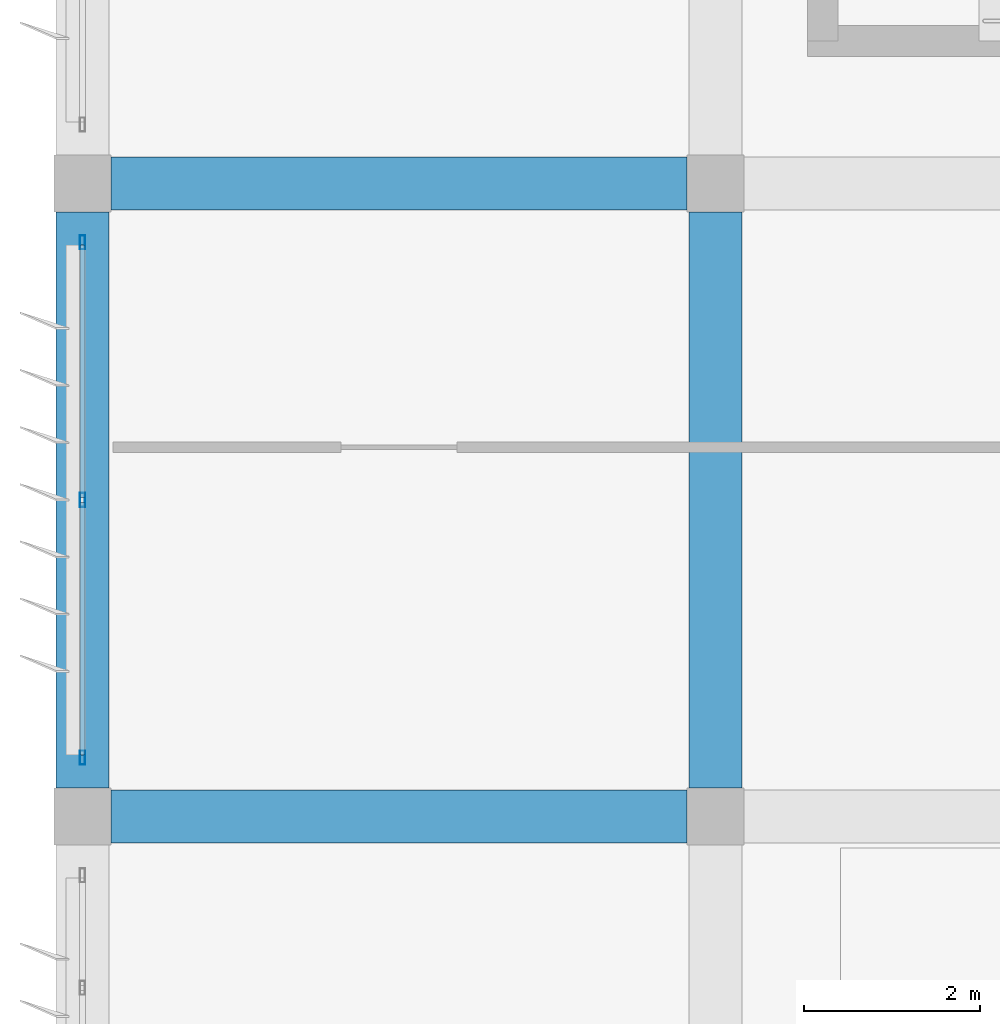
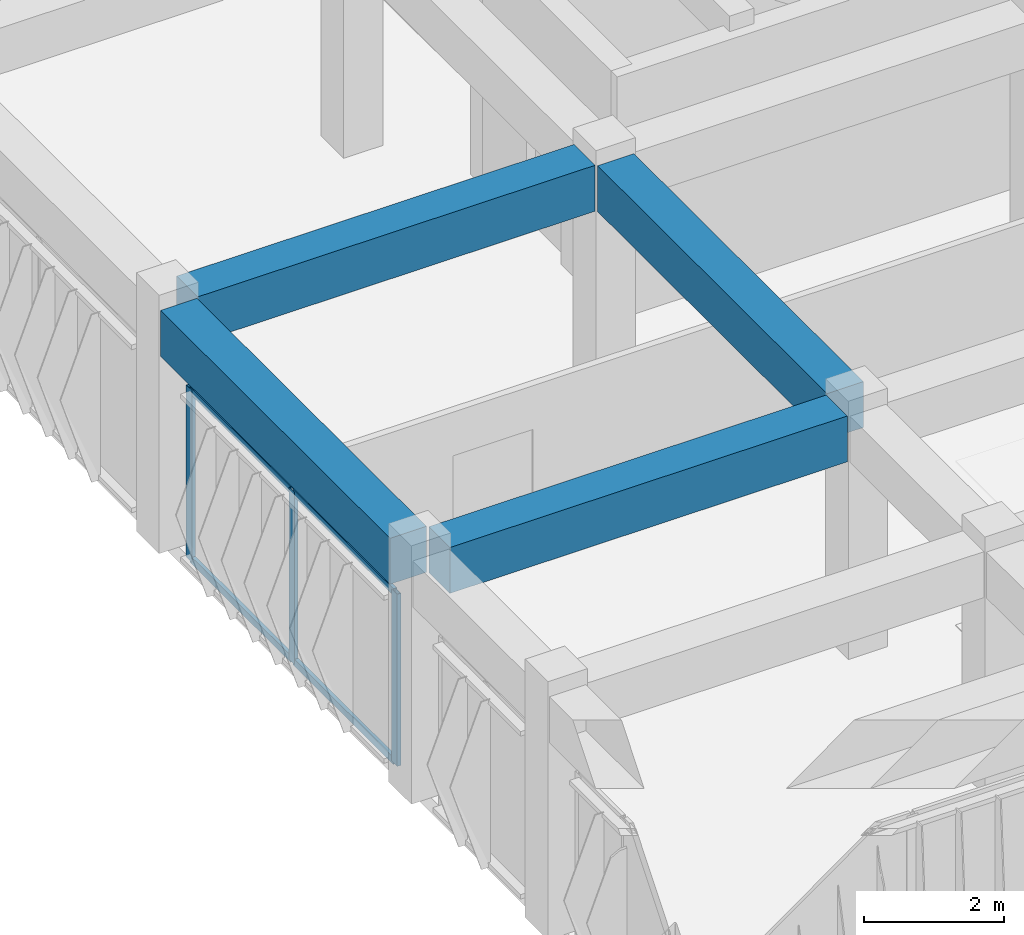
# One storey, part 6 of 56: 7 members, 4 beams, 1 element without a shape of its own.
"""IFC4 building model written with IfcOpenShell, lengths in metres."""

from ifc_helpers import new_model, si_unit, direction, frame, origin, origin_2d, place, context, subcontext, project, spatial, rectangle, hollow_rectangle, extrude, material, material_profile, profile_set, type_object, element, aggregate, save


model = new_model("IFC4")

# Units and contexts
model_context = context("Model", 3, precision=1e-05, world=origin(), true_north=direction((0.0, 1.0)))
body_context = subcontext(model_context, "Body", "Model", "MODEL_VIEW")
ifc_project = project(units=[si_unit("LENGTHUNIT", "METRE"), si_unit("AREAUNIT", "SQUARE_METRE"), si_unit("VOLUMEUNIT", "CUBIC_METRE"), si_unit("PLANEANGLEUNIT", "RADIAN"), si_unit("MASSUNIT", "GRAM", prefix="KILO")], contexts=[model_context])

# Site, building, storey
site_placement = place(None, origin())
site = spatial("IfcSite", under=ifc_project, at=site_placement, CompositionType="ELEMENT")
building_placement = place(site_placement, origin())
building = spatial("IfcBuilding", under=site, at=building_placement, Name="Kazehaya Institute of Natural Sciences", CompositionType="ELEMENT")
storey_placement = place(building_placement, frame((0.0, 0.0, 28.800048828125)))
storey = spatial("IfcBuildingStorey", under=building, at=storey_placement, Name="L06", CompositionType="ELEMENT", Elevation=28.800048828125)

# Beams
ifc_material_1 = material(Name="Concrete Fc36", Category="concrete")
ifc_material_profile_1 = material_profile(ifc_material_1, rectangle(XDim=0.60009765625, YDim=0.800048828125, at=origin_2d()), Name="RC-600x800")
ifc_profile_set_1 = profile_set([ifc_material_profile_1], Name="Concrete Fc36")
beam_type = type_object("IfcBeamType", Name="BM-G-600x800", PredefinedType="BEAM", material=ifc_profile_set_1)
for number, where, z_axis, x_axis, name in (
    (1, (54.925048828125, 14.0, 3.829833984375), (1.0, 0.0, 0.0), (0.0, 1.0, 0.0), "L06 primary X girder BMX-L06-546-140"),
    (2, (54.925048828125, 21.199951171875, 3.829833984375), (1.0, 0.0, 0.0), (0.0, 1.0, 0.0), "L06 primary X girder BMX-L06-546-212"),
    (3, (54.60009765625, 14.324951171875, 3.829833984375), (0.0, 1.0, 0.0), (-1.0, 0.0, 0.0), "L06 primary Y girder BMY-L06-546-140"),
    (4, (61.800048828125, 14.324951171875, 3.829833984375), (0.0, 1.0, 0.0), (-1.0, 0.0, 0.0), "L06 primary Y girder BMY-L06-618-140"),
):
    element("IfcBeam", number, at=place(storey_placement, frame(where, z_axis=z_axis, x_axis=x_axis)), inside=storey, type_object=beam_type, Name=name, PredefinedType="BEAM", context=body_context, shape_type="SweptSolid", body=[
        extrude(rectangle(XDim=0.60009765625, YDim=0.800048828125, at=origin_2d()), origin(), (0.0, 0.0, 1.0), 6.550048828125),
    ])

# Curtain wall, members
ifc_material_2 = material(Name="Aluminium alloy A6063S-T5", Category="aluminium")
curtain_wall_type = type_object("IfcCurtainWallType", Name="CW-SYS-10", PredefinedType="NOTDEFINED", material=ifc_material_2)
curtain_wall_placement = place(storey_placement, origin())
curtain_wall = element("IfcCurtainWall", 5, at=curtain_wall_placement, inside=storey, type_object=curtain_wall_type, Name="L06 unitised curtain wall CW-L06-142", PredefinedType="NOTDEFINED")
ifc_material_profile_2 = material_profile(ifc_material_2, hollow_rectangle(XDim=0.06005859375, YDim=0.159912109375, WallThickness=0.00390625, at=origin_2d()), Name="ALU-60x160x4")
ifc_profile_set_2 = profile_set([ifc_material_profile_2], Name="Aluminium alloy A6063S-T5")
member_type_1 = type_object("IfcMemberType", Name="CWM-160", PredefinedType="MULLION", material=ifc_profile_set_2)
member_1_placement = place(storey_placement, frame((54.60009765625, 14.669921875, 0.0), z_axis=(0.0, 0.0, 1.0), x_axis=(-1.0, 0.0, 0.0)))
member_1 = element("IfcMember", 6, at=member_1_placement, type_object=member_type_1, Name="CW10 mullion 1", PredefinedType="MULLION", context=body_context, shape_type="SweptSolid", body=[
    extrude(hollow_rectangle(XDim=0.06005859375, YDim=0.159912109375, WallThickness=0.00390625, at=origin_2d()), origin(), (0.0, 0.0, 1.0), 3.0),
])
member_2_placement = place(storey_placement, frame((54.60009765625, 17.60009765625, 0.0), z_axis=(0.0, 0.0, 1.0), x_axis=(-1.0, 0.0, 0.0)))
member_2 = element("IfcMember", 7, at=member_2_placement, type_object=member_type_1, Name="CW10 mullion 2", PredefinedType="MULLION", context=body_context, shape_type="SweptSolid", body=[
    extrude(hollow_rectangle(XDim=0.06005859375, YDim=0.159912109375, WallThickness=0.00390625, at=origin_2d()), origin(), (0.0, 0.0, 1.0), 3.0),
])
member_3_placement = place(storey_placement, frame((54.60009765625, 20.530029296875, 0.0), z_axis=(0.0, 0.0, 1.0), x_axis=(-1.0, 0.0, 0.0)))
member_3 = element("IfcMember", 8, at=member_3_placement, type_object=member_type_1, Name="CW10 mullion 3", PredefinedType="MULLION", context=body_context, shape_type="SweptSolid", body=[
    extrude(hollow_rectangle(XDim=0.06005859375, YDim=0.159912109375, WallThickness=0.00390625, at=origin_2d()), origin(), (0.0, 0.0, 1.0), 3.0),
])
ifc_material_profile_3 = material_profile(ifc_material_2, hollow_rectangle(XDim=0.06005859375, YDim=0.1201171875, WallThickness=0.00341796875, at=origin_2d()), Name="ALU-60x120x3.5")
ifc_profile_set_3 = profile_set([ifc_material_profile_3], Name="Aluminium alloy A6063S-T5")
member_type_2 = type_object("IfcMemberType", Name="CWT-120", PredefinedType="USERDEFINED", material=ifc_profile_set_3)
member_4_placement = place(storey_placement, frame((54.60009765625, 14.699951171875, 0.030029296875), z_axis=(0.0, 1.0, 0.0), x_axis=(-1.0, 0.0, 0.0)))
member_4 = element("IfcMember", 9, at=member_4_placement, type_object=member_type_2, Name="CW10 transom 1.1", ObjectType="TRANSOM", PredefinedType="USERDEFINED", context=body_context, shape_type="SweptSolid", body=[
    extrude(hollow_rectangle(XDim=0.06005859375, YDim=0.1201171875, WallThickness=0.00341796875, at=origin_2d()), origin(), (0.0, 0.0, 1.0), 2.8701171875),
])
member_5_placement = place(storey_placement, frame((54.60009765625, 14.699951171875, 2.969970703125), z_axis=(0.0, 1.0, 0.0), x_axis=(-1.0, 0.0, 0.0)))
member_5 = element("IfcMember", 10, at=member_5_placement, type_object=member_type_2, Name="CW10 transom 1.2", ObjectType="TRANSOM", PredefinedType="USERDEFINED", context=body_context, shape_type="SweptSolid", body=[
    extrude(hollow_rectangle(XDim=0.06005859375, YDim=0.1201171875, WallThickness=0.00341796875, at=origin_2d()), origin(), (0.0, 0.0, 1.0), 2.8701171875),
])
member_6_placement = place(storey_placement, frame((54.60009765625, 17.6298828125, 0.030029296875), z_axis=(0.0, 1.0, 0.0), x_axis=(-1.0, 0.0, 0.0)))
member_6 = element("IfcMember", 11, at=member_6_placement, type_object=member_type_2, Name="CW10 transom 2.1", ObjectType="TRANSOM", PredefinedType="USERDEFINED", context=body_context, shape_type="SweptSolid", body=[
    extrude(hollow_rectangle(XDim=0.06005859375, YDim=0.1201171875, WallThickness=0.00341796875, at=origin_2d()), origin(), (0.0, 0.0, 1.0), 2.8701171875),
])
member_7_placement = place(storey_placement, frame((54.60009765625, 17.6298828125, 2.969970703125), z_axis=(0.0, 1.0, 0.0), x_axis=(-1.0, 0.0, 0.0)))
member_7 = element("IfcMember", 12, at=member_7_placement, type_object=member_type_2, Name="CW10 transom 2.2", ObjectType="TRANSOM", PredefinedType="USERDEFINED", context=body_context, shape_type="SweptSolid", body=[
    extrude(hollow_rectangle(XDim=0.06005859375, YDim=0.1201171875, WallThickness=0.00341796875, at=origin_2d()), origin(), (0.0, 0.0, 1.0), 2.8701171875),
])
aggregate(curtain_wall, [member_1, member_2, member_3, member_4, member_5, member_6, member_7])

save(model, "model.ifc")
